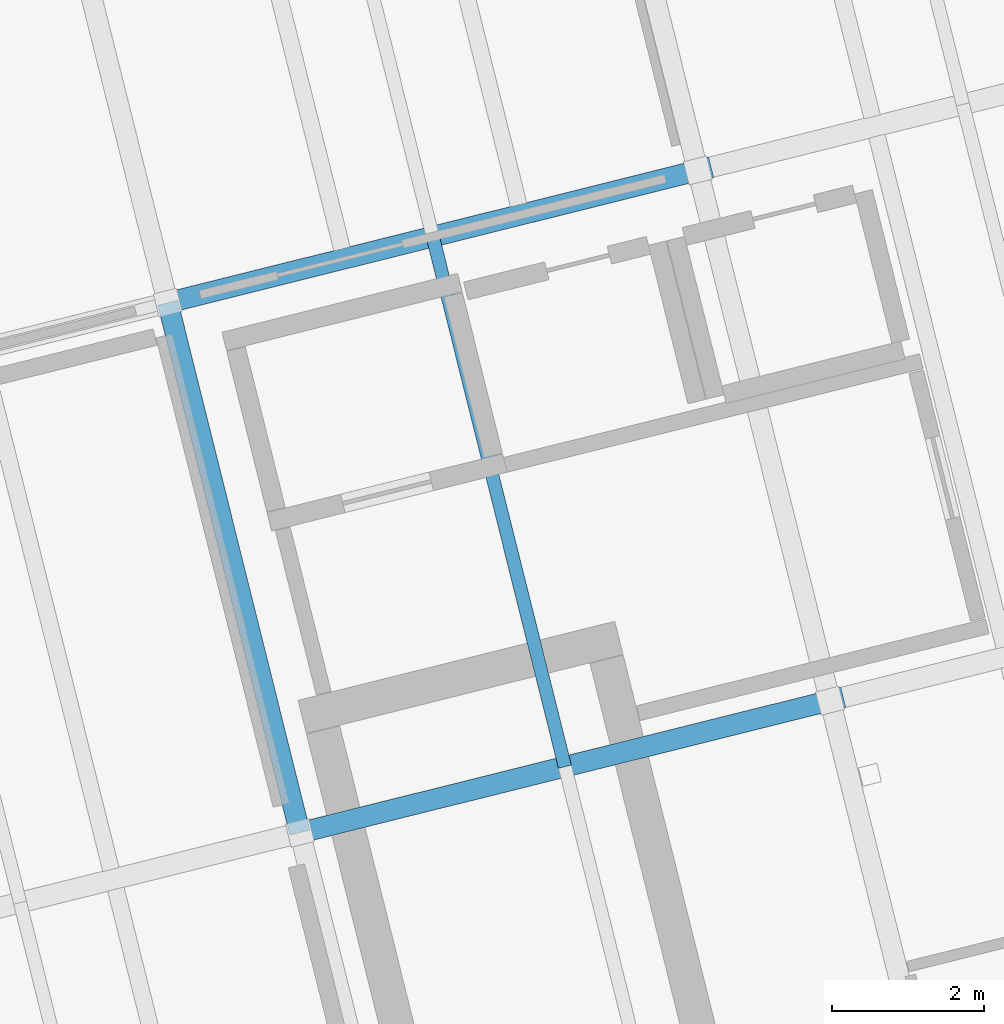
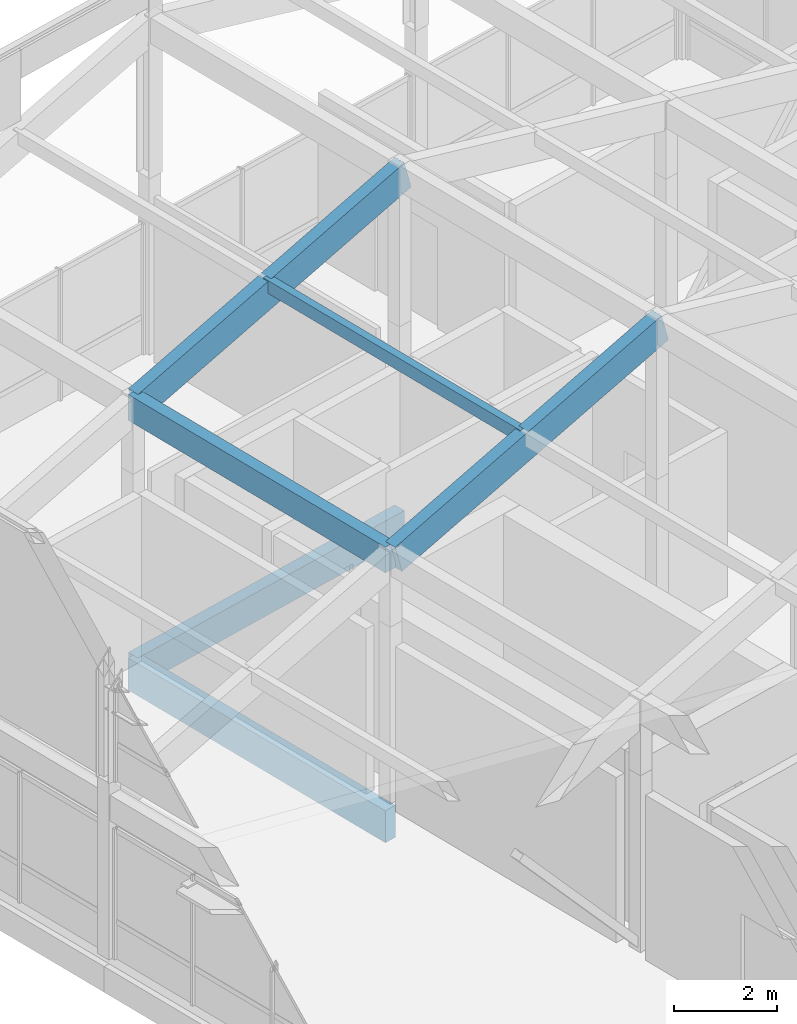
# One storey, part 14 of 31: 5 beams, 1 member.
"""IFC4 building model written with IfcOpenShell, lengths in metres."""

from ifc_helpers import new_model, si_unit, direction, frame, origin, origin_2d, place, context, subcontext, project, spatial, rectangle, extrude, material, material_profile, profile_set, type_object, element, save


model = new_model("IFC4")

# Units and contexts
model_context = context("Model", 3, precision=1e-05, world=origin(), true_north=direction((0.0, 1.0)))
body_context = subcontext(model_context, "Body", "Model", "MODEL_VIEW")
ifc_project = project(units=[si_unit("LENGTHUNIT", "METRE"), si_unit("AREAUNIT", "SQUARE_METRE"), si_unit("VOLUMEUNIT", "CUBIC_METRE"), si_unit("PLANEANGLEUNIT", "RADIAN"), si_unit("MASSUNIT", "GRAM", prefix="KILO")], contexts=[model_context])

# Site, building, storey
site_placement = place(None, origin())
site = spatial("IfcSite", under=ifc_project, at=site_placement, CompositionType="ELEMENT")
building_placement = place(site_placement, origin())
building = spatial("IfcBuilding", under=site, at=building_placement, Name="Meriwether Solvik Hall", CompositionType="ELEMENT")
storey_placement = place(building_placement, frame((0.0, 0.0, 61.199951171875)))
storey = spatial("IfcBuildingStorey", under=building, at=storey_placement, Name="L15", CompositionType="ELEMENT", Elevation=61.199951171875)

# Beams
ifc_material_1 = material(Name="Glulam Douglas-Fir 24F-V8 GL28h", Category="wood")
ifc_material_profile_1 = material_profile(ifc_material_1, rectangle(XDim=0.27294921875, YDim=0.610107421875, at=origin_2d()), Name="GLB-273X610")
ifc_profile_set_1 = profile_set([ifc_material_profile_1], Name="Glulam Douglas-Fir 24F-V8 GL28h")
beam_type_1 = type_object("IfcBeamType", Name="BM-GL-273X610", PredefinedType="SPANDREL", material=ifc_profile_set_1)
beam_1_placement = place(storey_placement, frame((72.6357421875, 56.4287109375, 5.704345703125), z_axis=(-0.241937193493, 0.970291911955, 0.0), x_axis=(-0.970291911955, -0.241937193493, 0.0)))
element("IfcBeam", 1, at=beam_1_placement, inside=storey, type_object=beam_type_1, Name="Roof Tie Beam T2:TC-TD", PredefinedType="SPANDREL", context=body_context, shape_type="SweptSolid", body=[
    extrude(rectangle(XDim=0.27294921875, YDim=0.610107421875, at=origin_2d()), origin(), (0.0, 0.0, 1.0), 7.199951171875),
])
ifc_material_2 = material(Name="Glulam Douglas-Fir 24F-V8 GL28h", Category="wood")
ifc_material_profile_2 = material_profile(ifc_material_2, rectangle(XDim=0.27294921875, YDim=0.68505859375, at=origin_2d()), Name="GLB-273X685")
ifc_profile_set_2 = profile_set([ifc_material_profile_2], Name="Glulam Douglas-Fir 24F-V8 GL28h")
beam_type_2 = type_object("IfcBeamType", Name="BM-GL-273X685", PredefinedType="BEAM", material=ifc_profile_set_2)
beam_2_placement = place(storey_placement, frame((70.893798828125, 63.414794921875, -0.58740234375), z_axis=(0.970293896644, 0.241929233735, 0.0), x_axis=(-0.241929233735, 0.970293896644, 0.0)))
element("IfcBeam", 2, at=beam_2_placement, inside=storey, type_object=beam_type_2, Name="Tower Girder TD:T2-T3 (L15)", PredefinedType="BEAM", context=body_context, shape_type="SweptSolid", body=[
    extrude(rectangle(XDim=0.27294921875, YDim=0.68505859375, at=origin_2d()), origin(), (0.0, 0.0, 1.0), 7.2001953125),
])
beam_3_placement = place(storey_placement, frame((72.724365234375, 56.450927734375, 5.679443359375), z_axis=(0.935084353872, 0.233117548942, 0.266970896391), x_axis=(-0.241897310542, 0.970301855688, 0.0)))
element("IfcBeam", 3, at=beam_3_placement, inside=storey, type_object=beam_type_2, Name="Sloped Roof Rafter TC:T2-T3", PredefinedType="BEAM", context=body_context, shape_type="SweptSolid", body=[
    extrude(rectangle(XDim=0.27294921875, YDim=0.68505859375, at=origin_2d()), origin(), (0.0, 0.0, 1.0), 7.471435546875),
])
beam_4_placement = place(storey_placement, frame((70.982666015625, 63.43701171875, 5.679443359375), z_axis=(0.935080248891, 0.233124672221, 0.266979054113), x_axis=(-0.241905269381, 0.970299871507, 0.0)))
element("IfcBeam", 4, at=beam_4_placement, inside=storey, type_object=beam_type_2, Name="Sloped Roof Rafter TD:T2-T3", PredefinedType="BEAM", context=body_context, shape_type="SweptSolid", body=[
    extrude(rectangle(XDim=0.27294921875, YDim=0.68505859375, at=origin_2d()), origin(), (0.0, 0.0, 1.0), 7.47119140625),
])
ifc_material_3 = material(Name="Glulam Douglas-Fir 24F-V8 GL28h", Category="wood")
ifc_material_profile_3 = material_profile(ifc_material_3, rectangle(XDim=0.27294921875, YDim=0.760009765625, at=origin_2d()), Name="GLB-273X760")
ifc_profile_set_3 = profile_set([ifc_material_profile_3], Name="Glulam Douglas-Fir 24F-V8 GL28h")
beam_type_3 = type_object("IfcBeamType", Name="BM-GL-273X760", PredefinedType="BEAM", material=ifc_profile_set_3)
beam_5_placement = place(storey_placement, frame((72.6357421875, 56.4287109375, -0.625), z_axis=(-0.241937193493, 0.970291911955, 0.0), x_axis=(-0.970291911955, -0.241937193493, 0.0)))
element("IfcBeam", 5, at=beam_5_placement, inside=storey, type_object=beam_type_3, Name="Tower Girder T2:TC-TD (L15)", PredefinedType="BEAM", context=body_context, shape_type="SweptSolid", body=[
    extrude(rectangle(XDim=0.27294921875, YDim=0.760009765625, at=origin_2d()), origin(), (0.0, 0.0, 1.0), 7.199951171875),
])

# Member
ifc_material_4 = material(Name="Glulam Douglas-Fir 24F-V8 GL28h", Category="wood")
ifc_material_profile_4 = material_profile(ifc_material_4, rectangle(XDim=0.175048828125, YDim=0.304931640625, at=origin_2d()), Name="GLM-175X305")
ifc_profile_set_4 = profile_set([ifc_material_profile_4], Name="Glulam Douglas-Fir 24F-V8 GL28h")
member_type = type_object("IfcMemberType", Name="MEM-PRL-GL175", PredefinedType="PURLIN", material=ifc_profile_set_4)
member_placement = place(storey_placement, frame((76.12890625, 57.299560546875, 6.854248046875), z_axis=(-0.241937193493, 0.970291911955, 0.0), x_axis=(-0.970291911955, -0.241937193493, 0.0)))
element("IfcMember", 6, at=member_placement, inside=storey, type_object=member_type, Name="Tower Roof Glulam Purlin 2.3", PredefinedType="PURLIN", context=body_context, shape_type="SweptSolid", body=[
    extrude(rectangle(XDim=0.175048828125, YDim=0.304931640625, at=origin_2d()), origin(), (0.0, 0.0, 1.0), 7.199951171875),
])

save(model, "model.ifc")
